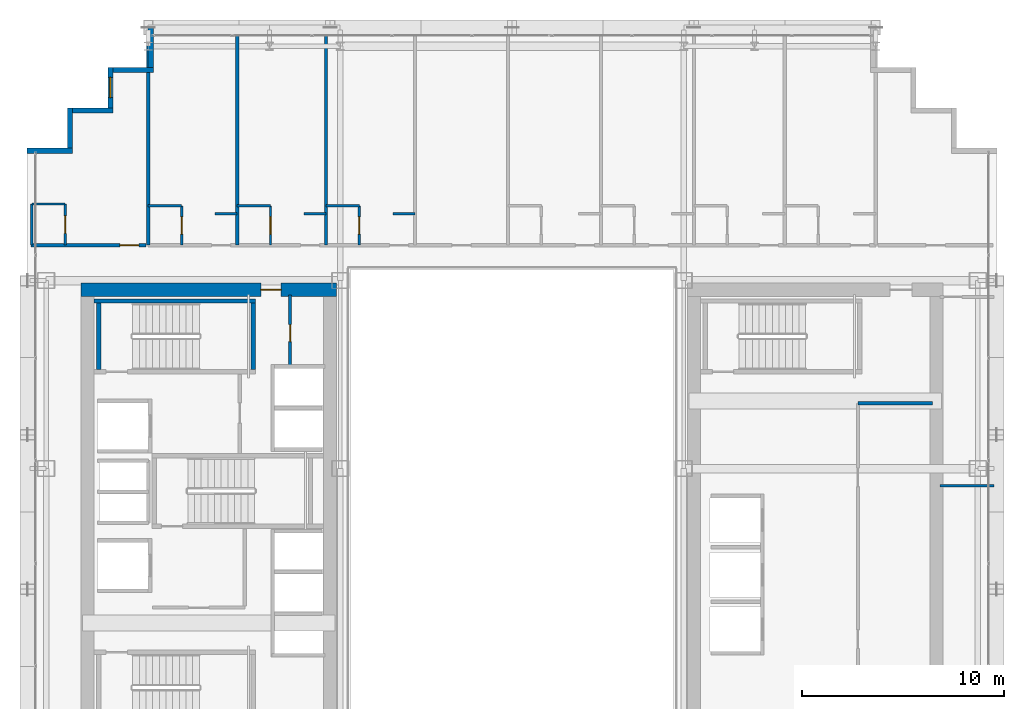
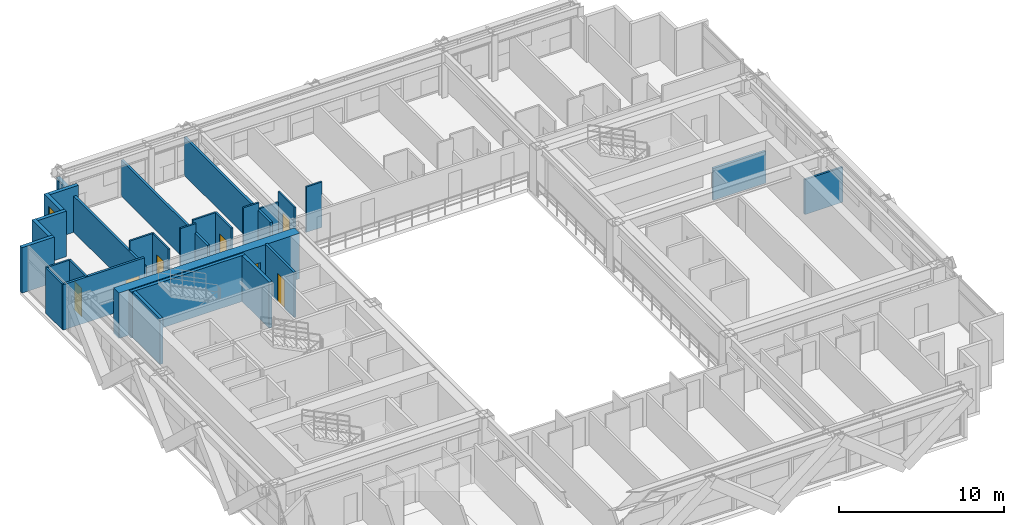
# One storey, part 30 of 36: 29 walls, 7 doors, 1 window, 8 openings.
"""IFC4 building model written with IfcOpenShell, lengths in metres."""

from ifc_helpers import new_model, si_unit, direction, frame, frame_2d, origin, place, context, subcontext, project, spatial, rectangle, extrude, source, transform, mapped, material, layer, layer_set, type_object, element, fill, save


model = new_model("IFC4")

# Units and contexts
model_context = context("Model", 3, precision=1e-05, world=origin(), true_north=direction((0.0, 1.0)))
body_context = subcontext(model_context, "Body", "Model", "MODEL_VIEW")
ifc_project = project(units=[si_unit("LENGTHUNIT", "METRE"), si_unit("AREAUNIT", "SQUARE_METRE"), si_unit("VOLUMEUNIT", "CUBIC_METRE"), si_unit("PLANEANGLEUNIT", "RADIAN"), si_unit("MASSUNIT", "GRAM", prefix="KILO")], contexts=[model_context])

# Site, building, storey
site_placement = place(None, origin())
site = spatial("IfcSite", under=ifc_project, at=site_placement, CompositionType="ELEMENT")
building_placement = place(site_placement, origin())
building = spatial("IfcBuilding", under=site, at=building_placement, Name="Ocotamira Hotel", CompositionType="ELEMENT")
storey_placement = place(building_placement, frame((0.0, 0.0, 129.60009765625)))
storey = spatial("IfcBuildingStorey", under=building, at=storey_placement, Name="L32", CompositionType="ELEMENT", Elevation=129.60009765625)

# Wall, opening, door
ifc_material_1 = material(Name="Concrete C60/75", Category="concrete")
ifc_layer_1 = layer(ifc_material_1, 0.64990234375)
ifc_layer_set_1 = layer_set([ifc_layer_1], Name="Concrete C60/75")
wall_type_1 = type_object("IfcWallType", Name="WL-CORE-650", PredefinedType="SHEAR", material=ifc_layer_set_1)
wall_1_placement = place(storey_placement, frame((10.675048828125, 37.0, 0.0), z_axis=(0.0, 0.0, 1.0), x_axis=(1.0, 0.0, 0.0)))
wall_1 = element("IfcWall", 1, at=wall_1_placement, inside=storey, type_object=wall_type_1, Name="L32 Shear Core Wall WCORE-N", PredefinedType="SHEAR", context=body_context, shape_type="SweptSolid", body=[
    extrude(rectangle(XDim=12.64990234375, YDim=0.64990234375, at=frame_2d((6.324951171875, 0.0))), origin(), (0.0, 0.0, 1.0), 3.35986328125),
])
opening_1_placement = place(wall_1_placement, frame((8.905029296875, 0.0, 0.0)))
opening_1 = element("IfcOpeningElement", 2, at=opening_1_placement, cuts=wall_1, Name="Opening D-FR2", PredefinedType="OPENING", context=body_context, shape_type="SweptSolid", body=[
    extrude(rectangle(XDim=1.0, YDim=2.14990234375, at=frame_2d((0.5, 1.074951171875))), frame((0.0, 0.3349609375, 0.0), z_axis=(0.0, -1.0, 0.0), x_axis=(1.0, 0.0, 0.0)), (0.0, 0.0, 1.0), 0.669921875),
])
ifc_material_2 = material(Name="Fire-rated acoustic timber-veneer door", Category="wood")
door_type_1 = type_object("IfcDoorType", Name="DR-FIRE-1000", OperationType="NOTDEFINED", PredefinedType="DOOR", material=ifc_material_2)
shared_shape_1 = source(origin(), body_context, "Body", "SweptSolid", [
    extrude(rectangle(XDim=1.0, YDim=2.14990234375, at=frame_2d((0.5, 1.074951171875))), frame((0.0, 0.02490234375, 0.0), z_axis=(0.0, -1.0, 0.0), x_axis=(1.0, 0.0, 0.0)), (0.0, 0.0, 1.0), 0.050048828125),
])
door_1_placement = place(opening_1_placement, origin())
door_1 = element("IfcDoor", 3, at=door_1_placement, inside=storey, type_object=door_type_1, Name="L32 Door ID-L32-WLOB-N-D [ID-L32-WLOB-N-D]", OperationType="SINGLE_SWING_RIGHT", OverallHeight=2.14990234375, OverallWidth=1.0, PredefinedType="DOOR", context=body_context, shape_type="MappedRepresentation", body=[
    mapped(shared_shape_1, transform((0.0, 0.0, 0.0), scale=1.0)),
])
fill(opening_1, door_1)

# Walls
ifc_material_3 = material(Name="Precast concrete C45/55", Category="concrete")
ifc_layer_2 = layer(ifc_material_3, 0.25)
ifc_layer_set_2 = layer_set([ifc_layer_2], Name="Precast concrete C45/55")
wall_type_2 = type_object("IfcWallType", Name="WL-EXT-SER-250", PredefinedType="SOLIDWALL", material=ifc_layer_set_2)
wall_2_placement = place(storey_placement, frame((14.125, 50.0, 0.0), z_axis=(0.0, 0.0, 1.0), x_axis=(0.0, -1.0, 0.0)))
element("IfcWall", 4, at=wall_2_placement, inside=storey, type_object=wall_type_2, Name="L32 Serrated Corner Wall 13", PredefinedType="SOLIDWALL", context=body_context, shape_type="SweptSolid", body=[
    extrude(rectangle(XDim=2.0, YDim=0.25, at=frame_2d((1.0, 0.0))), origin(), (0.0, 0.0, 1.0), 2.6669921875),
])
wall_3_placement = place(storey_placement, frame((14.25, 47.875, 0.0), z_axis=(0.0, 0.0, 1.0), x_axis=(-1.0, 0.0, 0.0)))
element("IfcWall", 5, at=wall_3_placement, inside=storey, type_object=wall_type_2, Name="L32 Serrated Corner Wall 14", PredefinedType="SOLIDWALL", context=body_context, shape_type="SweptSolid", body=[
    extrude(rectangle(XDim=2.0, YDim=0.25, at=frame_2d((1.0, 0.0))), origin(), (0.0, 0.0, 1.0), 3.35986328125),
])

# Wall, opening, window
wall_4_placement = place(storey_placement, frame((12.125, 48.0, 0.0), z_axis=(0.0, 0.0, 1.0), x_axis=(0.0, -1.0, 0.0)))
wall_4 = element("IfcWall", 6, at=wall_4_placement, inside=storey, type_object=wall_type_2, Name="L32 Serrated Corner Wall 15", PredefinedType="SOLIDWALL", context=body_context, shape_type="SweptSolid", body=[
    extrude(rectangle(XDim=2.0, YDim=0.25, at=frame_2d((1.0, 0.0))), origin(), (0.0, 0.0, 1.0), 3.35986328125),
])
opening_2_placement = place(wall_4_placement, frame((0.5, 0.0, 0.85009765625)))
opening_2 = element("IfcOpeningElement", 7, at=opening_2_placement, cuts=wall_4, Name="Opening WN-2", PredefinedType="OPENING", context=body_context, shape_type="SweptSolid", body=[
    extrude(rectangle(XDim=1.0, YDim=1.89990234375, at=frame_2d((0.5, 0.949951171875))), frame((0.0, 0.135009765625, 0.0), z_axis=(0.0, -1.0, 0.0), x_axis=(1.0, 0.0, 0.0)), (0.0, 0.0, 1.0), 0.27001953125),
])
ifc_material_4 = material(Name="Double-silver low-E solar glass", Category="glass")
window_type = type_object("IfcWindowType", Name="WIN-SER-1100", PartitioningType="SINGLE_PANEL", PredefinedType="WINDOW", material=ifc_material_4)
shared_shape_2 = source(origin(), body_context, "Body", "SweptSolid", [
    extrude(rectangle(XDim=1.0, YDim=1.89990234375, at=frame_2d((0.5, 0.949951171875))), frame((0.0, 0.030029296875, 0.0), z_axis=(0.0, -1.0, 0.0), x_axis=(1.0, 0.0, 0.0)), (0.0, 0.0, 1.0), 0.06005859375),
])
window_placement = place(opening_2_placement, origin())
window = element("IfcWindow", 8, at=window_placement, inside=storey, type_object=window_type, Name="L32 Serrated Corner Window 15", OverallHeight=1.89990234375, OverallWidth=1.0, PartitioningType="SINGLE_PANEL", PredefinedType="WINDOW", context=body_context, shape_type="MappedRepresentation", body=[
    mapped(shared_shape_2, transform((0.0, 0.0, 0.0), scale=1.0)),
])
fill(opening_2, window)

# Walls
for number, where, z_axis, x_axis, name in (
    (9, (12.25, 45.875, 0.0), (0.0, 0.0, 1.0), (-1.0, 0.0, 0.0), "L32 Serrated Corner Wall 16"),
    (10, (10.125, 46.0, 0.0), (0.0, 0.0, 1.0), (0.0, -1.0, 0.0), "L32 Serrated Corner Wall 17"),
):
    element("IfcWall", number, at=place(storey_placement, frame(where, z_axis=z_axis, x_axis=x_axis)), inside=storey, type_object=wall_type_2, Name=name, PredefinedType="SOLIDWALL", context=body_context, shape_type="SweptSolid", body=[
        extrude(rectangle(XDim=2.0, YDim=0.25, at=frame_2d((1.0, 0.0))), origin(), (0.0, 0.0, 1.0), 3.35986328125),
    ])
wall_5_placement = place(storey_placement, frame((10.25, 43.875, 0.0), z_axis=(0.0, 0.0, 1.0), x_axis=(-1.0, 0.0, 0.0)))
element("IfcWall", 11, at=wall_5_placement, inside=storey, type_object=wall_type_2, Name="L32 Serrated Corner Wall 18", PredefinedType="SOLIDWALL", context=body_context, shape_type="SweptSolid", body=[
    extrude(rectangle(XDim=2.25, YDim=0.25, at=frame_2d((1.125, 0.0))), origin(), (0.0, 0.0, 1.0), 3.35986328125),
])
ifc_material_5 = material(Name="Acoustic double-layer fire gypsum board partition", Category="gypsum")
ifc_layer_3 = layer(ifc_material_5, 0.159912109375)
ifc_layer_set_3 = layer_set([ifc_layer_3], Name="Acoustic double-layer fire gypsum board partition")
wall_type_3 = type_object("IfcWallType", Name="WL-FIRE-160", PredefinedType="PARTITIONING", material=ifc_layer_set_3)
wall_6_placement = place(storey_placement, frame((49.1201171875, 31.3798828125, 0.0), z_axis=(0.0, 0.0, 1.0), x_axis=(1.0, 0.0, 0.0)))
element("IfcWall", 12, at=wall_6_placement, inside=storey, type_object=wall_type_3, Name="L32 Interior Wall PW-L32-EC-FLOW-N", PredefinedType="PARTITIONING", context=body_context, shape_type="SweptSolid", body=[
    extrude(rectangle(XDim=3.679931640625, YDim=0.159912109375, at=frame_2d((1.83984375, 0.0))), origin(), (0.0, 0.0, 1.0), 2.35986328125),
])

# Wall, opening, door
wall_7_placement = place(storey_placement, frame((8.199951171875, 39.199951171875, 0.0), z_axis=(0.0, 0.0, 1.0), x_axis=(1.0, 0.0, 0.0)))
wall_7 = element("IfcWall", 13, at=wall_7_placement, inside=storey, type_object=wall_type_3, Name="L32 Interior Wall PW-L32-Z2D-CNW-CW", PredefinedType="PARTITIONING", context=body_context, shape_type="SweptSolid", body=[
    extrude(rectangle(XDim=5.679931640625, YDim=0.159912109375, at=frame_2d((2.83984375, 0.0))), origin(), (0.0, 0.0, 1.0), 3.35986328125),
])
opening_3_placement = place(wall_7_placement, frame((4.39990234375, 0.0, 0.0)))
opening_3 = element("IfcOpeningElement", 14, at=opening_3_placement, cuts=wall_7, Name="Opening D-GR1", PredefinedType="OPENING", context=body_context, shape_type="SweptSolid", body=[
    extrude(rectangle(XDim=0.93994140625, YDim=2.14990234375, at=frame_2d((0.469970703125, 1.074951171875))), frame((0.0, 0.08984375, 0.0), z_axis=(0.0, -1.0, 0.0), x_axis=(1.0, 0.0, 0.0)), (0.0, 0.0, 1.0), 0.179931640625),
])
ifc_material_6 = material(Name="Solid-core walnut suite entrance fire door", Category="wood")
door_type_2 = type_object("IfcDoorType", Name="DR-GUEST-940", OperationType="NOTDEFINED", PredefinedType="DOOR", material=ifc_material_6)
shared_shape_3 = source(origin(), body_context, "Body", "SweptSolid", [
    extrude(rectangle(XDim=0.93994140625, YDim=2.14990234375, at=frame_2d((0.469970703125, 1.074951171875))), frame((0.0, 0.02490234375, 0.0), z_axis=(0.0, -1.0, 0.0), x_axis=(1.0, 0.0, 0.0)), (0.0, 0.0, 1.0), 0.050048828125),
])
door_2_placement = place(opening_3_placement, origin())
door_2 = element("IfcDoor", 15, at=door_2_placement, inside=storey, type_object=door_type_2, Name="L32 Door ID-L32-Z2D-CNW-CD [ID-L32-Z2D-CNW-CD]", OperationType="SINGLE_SWING_RIGHT", OverallHeight=2.14990234375, OverallWidth=0.93994140625, PredefinedType="DOOR", context=body_context, shape_type="MappedRepresentation", body=[
    mapped(shared_shape_3, transform((0.0, 0.0, 0.0), scale=1.0)),
])
fill(opening_3, door_2)

ifc_material_7 = material(Name="Moisture-resistant en-suite tile and gypsum partition", Category="gypsum")
ifc_layer_4 = layer(ifc_material_7, 0.1201171875)
ifc_layer_set_4 = layer_set([ifc_layer_4], Name="Moisture-resistant en-suite tile and gypsum partition")
wall_type_4 = type_object("IfcWallType", Name="WL-PART-120", PredefinedType="PARTITIONING", material=ifc_layer_set_4)
wall_8_placement = place(storey_placement, frame((9.889892578125, 39.199951171875, 0.0), z_axis=(0.0, 0.0, 1.0), x_axis=(0.0, 1.0, 0.0)))
wall_8 = element("IfcWall", 16, at=wall_8_placement, inside=storey, type_object=wall_type_4, Name="L32 Interior Wall PW-L32-Z2D-CNW-BE", PredefinedType="PARTITIONING", context=body_context, shape_type="SweptSolid", body=[
    extrude(rectangle(XDim=2.0400390625, YDim=0.1201171875, at=frame_2d((1.02001953125, 0.0))), origin(), (0.0, 0.0, 1.0), 3.35986328125),
])
opening_4_placement = place(wall_8_placement, frame((0.590087890625, 0.0, 0.0)))
opening_4 = element("IfcOpeningElement", 17, at=opening_4_placement, cuts=wall_8, Name="Opening D-BA1", PredefinedType="OPENING", context=body_context, shape_type="SweptSolid", body=[
    extrude(rectangle(XDim=0.860107421875, YDim=2.10009765625, at=frame_2d((0.43017578125, 1.050048828125))), frame((0.0, 0.070068359375, 0.0), z_axis=(0.0, -1.0, 0.0), x_axis=(1.0, 0.0, 0.0)), (0.0, 0.0, 1.0), 0.14013671875),
])
ifc_material_8 = material(Name="Moisture-sealed en-suite timber door", Category="wood")
door_type_3 = type_object("IfcDoorType", Name="DR-BATH-860", OperationType="NOTDEFINED", PredefinedType="DOOR", material=ifc_material_8)
shared_shape_4 = source(origin(), body_context, "Body", "SweptSolid", [
    extrude(rectangle(XDim=0.860107421875, YDim=2.10009765625, at=frame_2d((0.43017578125, 1.050048828125))), frame((0.0, 0.02490234375, 0.0), z_axis=(0.0, -1.0, 0.0), x_axis=(1.0, 0.0, 0.0)), (0.0, 0.0, 1.0), 0.050048828125),
])
door_3_placement = place(opening_4_placement, origin())
door_3 = element("IfcDoor", 18, at=door_3_placement, inside=storey, type_object=door_type_3, Name="L32 Door ID-L32-Z2D-CNW-BD [ID-L32-Z2D-CNW-BD]", OperationType="SINGLE_SWING_LEFT", OverallHeight=2.10009765625, OverallWidth=0.860107421875, PredefinedType="DOOR", context=body_context, shape_type="MappedRepresentation", body=[
    mapped(shared_shape_4, transform((0.0, 0.0, 0.0), scale=1.0)),
])
fill(opening_4, door_3)

# Walls
wall_9_placement = place(storey_placement, frame((8.239990234375, 39.199951171875, 0.0), z_axis=(0.0, 0.0, 1.0), x_axis=(0.0, 1.0, 0.0)))
element("IfcWall", 19, at=wall_9_placement, inside=storey, type_object=wall_type_4, Name="L32 Interior Wall PW-L32-Z2D-CNW-BW", PredefinedType="PARTITIONING", context=body_context, shape_type="SweptSolid", body=[
    extrude(rectangle(XDim=2.0400390625, YDim=0.1201171875, at=frame_2d((1.02001953125, 0.0))), origin(), (0.0, 0.0, 1.0), 3.35986328125),
])
wall_10_placement = place(storey_placement, frame((8.239990234375, 41.239990234375, 0.0), z_axis=(0.0, 0.0, 1.0), x_axis=(1.0, 0.0, 0.0)))
element("IfcWall", 20, at=wall_10_placement, inside=storey, type_object=wall_type_4, Name="L32 Interior Wall PW-L32-Z2D-CNW-BH", PredefinedType="PARTITIONING", context=body_context, shape_type="SweptSolid", body=[
    extrude(rectangle(XDim=1.64990234375, YDim=0.1201171875, at=frame_2d((0.824951171875, 0.0))), origin(), (0.0, 0.0, 1.0), 3.35986328125),
])

# Wall, opening, door
wall_11_placement = place(storey_placement, frame((15.64990234375, 39.199951171875, 0.0), z_axis=(0.0, 0.0, 1.0), x_axis=(0.0, 1.0, 0.0)))
wall_11 = element("IfcWall", 21, at=wall_11_placement, inside=storey, type_object=wall_type_4, Name="L32 Interior Wall PW-L32-Z2DN-BAE1", PredefinedType="PARTITIONING", context=body_context, shape_type="SweptSolid", body=[
    extrude(rectangle(XDim=1.949951171875, YDim=0.1201171875, at=frame_2d((0.97509765625, 0.0))), origin(), (0.0, 0.0, 1.0), 3.35986328125),
])
opening_5_placement = place(wall_11_placement, frame((0.544921875, 0.0, 0.0)))
opening_5 = element("IfcOpeningElement", 22, at=opening_5_placement, cuts=wall_11, Name="Opening D-BA1", PredefinedType="OPENING", context=body_context, shape_type="SweptSolid", body=[
    extrude(rectangle(XDim=0.860107421875, YDim=2.10009765625, at=frame_2d((0.43017578125, 1.050048828125))), frame((0.0, 0.070068359375, 0.0), z_axis=(0.0, -1.0, 0.0), x_axis=(1.0, 0.0, 0.0)), (0.0, 0.0, 1.0), 0.14013671875),
])
door_4_placement = place(opening_5_placement, origin())
door_4 = element("IfcDoor", 23, at=door_4_placement, inside=storey, type_object=door_type_3, Name="L32 Door ID-L32-Z2DN-BAD1 [ID-L32-Z2DN-BAD1]", OperationType="SINGLE_SWING_RIGHT", OverallHeight=2.10009765625, OverallWidth=0.860107421875, PredefinedType="DOOR", context=body_context, shape_type="MappedRepresentation", body=[
    mapped(shared_shape_4, transform((0.0, 0.0, 0.0), scale=1.0)),
])
fill(opening_5, door_4)

# Walls
wall_12_placement = place(storey_placement, frame((14.0, 41.14990234375, 0.0), z_axis=(0.0, 0.0, 1.0), x_axis=(1.0, 0.0, 0.0)))
element("IfcWall", 24, at=wall_12_placement, inside=storey, type_object=wall_type_4, Name="L32 Interior Wall PW-L32-Z2DN-BAN1", PredefinedType="PARTITIONING", context=body_context, shape_type="SweptSolid", body=[
    extrude(rectangle(XDim=1.64990234375, YDim=0.1201171875, at=frame_2d((0.824951171875, 0.0))), origin(), (0.0, 0.0, 1.0), 3.35986328125),
])
wall_13_placement = place(storey_placement, frame((17.300048828125, 40.75, 0.0), z_axis=(0.0, 0.0, 1.0), x_axis=(1.0, 0.0, 0.0)))
element("IfcWall", 25, at=wall_13_placement, inside=storey, type_object=wall_type_4, Name="L32 Interior Wall PW-L32-Z2DN-DRN1", PredefinedType="PARTITIONING", context=body_context, shape_type="SweptSolid", body=[
    extrude(rectangle(XDim=1.099853515625, YDim=0.1201171875, at=frame_2d((0.5498046875, 0.0))), origin(), (0.0, 0.0, 1.0), 3.35986328125),
])

# Wall, opening, door
wall_14_placement = place(storey_placement, frame((20.050048828125, 39.199951171875, 0.0), z_axis=(0.0, 0.0, 1.0), x_axis=(0.0, 1.0, 0.0)))
wall_14 = element("IfcWall", 26, at=wall_14_placement, inside=storey, type_object=wall_type_4, Name="L32 Interior Wall PW-L32-Z2DN-BAE2", PredefinedType="PARTITIONING", context=body_context, shape_type="SweptSolid", body=[
    extrude(rectangle(XDim=1.949951171875, YDim=0.1201171875, at=frame_2d((0.97509765625, 0.0))), origin(), (0.0, 0.0, 1.0), 3.35986328125),
])
opening_6_placement = place(wall_14_placement, frame((0.544921875, 0.0, 0.0)))
opening_6 = element("IfcOpeningElement", 27, at=opening_6_placement, cuts=wall_14, Name="Opening D-BA1", PredefinedType="OPENING", context=body_context, shape_type="SweptSolid", body=[
    extrude(rectangle(XDim=0.860107421875, YDim=2.10009765625, at=frame_2d((0.43017578125, 1.050048828125))), frame((0.0, 0.070068359375, 0.0), z_axis=(0.0, -1.0, 0.0), x_axis=(1.0, 0.0, 0.0)), (0.0, 0.0, 1.0), 0.14013671875),
])
door_5_placement = place(opening_6_placement, origin())
door_5 = element("IfcDoor", 28, at=door_5_placement, inside=storey, type_object=door_type_3, Name="L32 Door ID-L32-Z2DN-BAD2 [ID-L32-Z2DN-BAD2]", OperationType="SINGLE_SWING_LEFT", OverallHeight=2.10009765625, OverallWidth=0.860107421875, PredefinedType="DOOR", context=body_context, shape_type="MappedRepresentation", body=[
    mapped(shared_shape_4, transform((0.0, 0.0, 0.0), scale=1.0)),
])
fill(opening_6, door_5)

# Walls
wall_15_placement = place(storey_placement, frame((18.39990234375, 41.14990234375, 0.0), z_axis=(0.0, 0.0, 1.0), x_axis=(1.0, 0.0, 0.0)))
element("IfcWall", 29, at=wall_15_placement, inside=storey, type_object=wall_type_4, Name="L32 Interior Wall PW-L32-Z2DN-BAN2", PredefinedType="PARTITIONING", context=body_context, shape_type="SweptSolid", body=[
    extrude(rectangle(XDim=1.650146484375, YDim=0.1201171875, at=frame_2d((0.8251953125, 0.0))), origin(), (0.0, 0.0, 1.0), 3.35986328125),
])
wall_16_placement = place(storey_placement, frame((21.699951171875, 40.75, 0.0), z_axis=(0.0, 0.0, 1.0), x_axis=(1.0, 0.0, 0.0)))
element("IfcWall", 30, at=wall_16_placement, inside=storey, type_object=wall_type_4, Name="L32 Interior Wall PW-L32-Z2DN-DRN2", PredefinedType="PARTITIONING", context=body_context, shape_type="SweptSolid", body=[
    extrude(rectangle(XDim=1.10009765625, YDim=0.1201171875, at=frame_2d((0.550048828125, 0.0))), origin(), (0.0, 0.0, 1.0), 3.35986328125),
])

# Wall, opening, door
wall_17_placement = place(storey_placement, frame((24.449951171875, 39.199951171875, 0.0), z_axis=(0.0, 0.0, 1.0), x_axis=(0.0, 1.0, 0.0)))
wall_17 = element("IfcWall", 31, at=wall_17_placement, inside=storey, type_object=wall_type_4, Name="L32 Interior Wall PW-L32-Z2DN-BAE3", PredefinedType="PARTITIONING", context=body_context, shape_type="SweptSolid", body=[
    extrude(rectangle(XDim=1.949951171875, YDim=0.1201171875, at=frame_2d((0.97509765625, 0.0))), origin(), (0.0, 0.0, 1.0), 3.35986328125),
])
opening_7_placement = place(wall_17_placement, frame((0.544921875, 0.0, 0.0)))
opening_7 = element("IfcOpeningElement", 32, at=opening_7_placement, cuts=wall_17, Name="Opening D-BA1", PredefinedType="OPENING", context=body_context, shape_type="SweptSolid", body=[
    extrude(rectangle(XDim=0.860107421875, YDim=2.10009765625, at=frame_2d((0.43017578125, 1.050048828125))), frame((0.0, 0.070068359375, 0.0), z_axis=(0.0, -1.0, 0.0), x_axis=(1.0, 0.0, 0.0)), (0.0, 0.0, 1.0), 0.14013671875),
])
door_6_placement = place(opening_7_placement, origin())
door_6 = element("IfcDoor", 33, at=door_6_placement, inside=storey, type_object=door_type_3, Name="L32 Door ID-L32-Z2DN-BAD3 [ID-L32-Z2DN-BAD3]", OperationType="SINGLE_SWING_RIGHT", OverallHeight=2.10009765625, OverallWidth=0.860107421875, PredefinedType="DOOR", context=body_context, shape_type="MappedRepresentation", body=[
    mapped(shared_shape_4, transform((0.0, 0.0, 0.0), scale=1.0)),
])
fill(opening_7, door_6)

# Walls
wall_18_placement = place(storey_placement, frame((22.800048828125, 41.14990234375, 0.0), z_axis=(0.0, 0.0, 1.0), x_axis=(1.0, 0.0, 0.0)))
element("IfcWall", 34, at=wall_18_placement, inside=storey, type_object=wall_type_4, Name="L32 Interior Wall PW-L32-Z2DN-BAN3", PredefinedType="PARTITIONING", context=body_context, shape_type="SweptSolid", body=[
    extrude(rectangle(XDim=1.64990234375, YDim=0.1201171875, at=frame_2d((0.824951171875, 0.0))), origin(), (0.0, 0.0, 1.0), 2.580810546875),
])
wall_19_placement = place(storey_placement, frame((26.10009765625, 40.75, 0.0), z_axis=(0.0, 0.0, 1.0), x_axis=(1.0, 0.0, 0.0)))
element("IfcWall", 35, at=wall_19_placement, inside=storey, type_object=wall_type_4, Name="L32 Interior Wall PW-L32-Z2DN-DRN3", PredefinedType="PARTITIONING", context=body_context, shape_type="SweptSolid", body=[
    extrude(rectangle(XDim=1.099853515625, YDim=0.1201171875, at=frame_2d((0.5498046875, 0.0))), origin(), (0.0, 0.0, 1.0), 3.35986328125),
])

# Wall, opening, door
ifc_material_9 = material(Name="Acoustic hospitality gypsum board partition", Category="gypsum")
ifc_layer_5 = layer(ifc_material_9, 0.14208984375)
ifc_layer_set_5 = layer_set([ifc_layer_5], Name="Acoustic hospitality gypsum board partition")
wall_type_5 = type_object("IfcWallType", Name="WL-PART-142", PredefinedType="PARTITIONING", material=ifc_layer_set_5)
wall_20_placement = place(storey_placement, frame((21.02001953125, 33.280029296875, 0.0), z_axis=(0.0, 0.0, 1.0), x_axis=(0.0, 1.0, 0.0)))
wall_20 = element("IfcWall", 36, at=wall_20_placement, inside=storey, type_object=wall_type_5, Name="L32 Interior Wall PW-L32-WC-NE-W", PredefinedType="PARTITIONING", context=body_context, shape_type="SweptSolid", body=[
    extrude(rectangle(XDim=3.469970703125, YDim=0.14208984375, at=frame_2d((1.73486328125, 0.0))), origin(), (0.0, 0.0, 1.0), 3.35986328125),
])
opening_8_placement = place(wall_20_placement, frame((1.14990234375, 0.0, 0.0)))
opening_8 = element("IfcOpeningElement", 37, at=opening_8_placement, cuts=wall_20, Name="Opening D-SV1", PredefinedType="OPENING", context=body_context, shape_type="SweptSolid", body=[
    extrude(rectangle(XDim=0.840087890625, YDim=2.10009765625, at=frame_2d((0.419921875, 1.050048828125))), frame((0.0, 0.0810546875, 0.0), z_axis=(0.0, -1.0, 0.0), x_axis=(1.0, 0.0, 0.0)), (0.0, 0.0, 1.0), 0.162109375),
])
ifc_material_10 = material(Name="Fire-rated painted steel service door", Category="steel")
door_type_4 = type_object("IfcDoorType", Name="DR-SERV-840", OperationType="NOTDEFINED", PredefinedType="DOOR", material=ifc_material_10)
shared_shape_5 = source(origin(), body_context, "Body", "SweptSolid", [
    extrude(rectangle(XDim=0.840087890625, YDim=2.10009765625, at=frame_2d((0.419921875, 1.050048828125))), frame((0.0, 0.02490234375, 0.0), z_axis=(0.0, -1.0, 0.0), x_axis=(1.0, 0.0, 0.0)), (0.0, 0.0, 1.0), 0.050048828125),
])
door_7_placement = place(opening_8_placement, origin())
door_7 = element("IfcDoor", 38, at=door_7_placement, inside=storey, type_object=door_type_4, Name="L32 Door ID-L32-WC-NE-D [ID-L32-WC-NE-D]", OperationType="SINGLE_SWING_LEFT", OverallHeight=2.10009765625, OverallWidth=0.840087890625, PredefinedType="DOOR", context=body_context, shape_type="MappedRepresentation", body=[
    mapped(shared_shape_5, transform((0.0, 0.0, 0.0), scale=1.0)),
])
fill(opening_8, door_7)

# Walls
wall_21_placement = place(storey_placement, frame((53.179931640625, 27.300048828125, 0.0), z_axis=(0.0, 0.0, 1.0), x_axis=(1.0, 0.0, 0.0)))
element("IfcWall", 39, at=wall_21_placement, inside=storey, type_object=wall_type_5, Name="L32 Interior Wall PW-L32-Z2D-EF-DV1", PredefinedType="PARTITIONING", context=body_context, shape_type="SweptSolid", body=[
    extrude(rectangle(XDim=2.66015625, YDim=0.14208984375, at=frame_2d((1.330078125, 0.0))), origin(), (0.0, 0.0, 1.0), 2.580810546875),
])
ifc_material_11 = material(Name="Acoustic double-stud hospitality gypsum partition", Category="gypsum")
ifc_layer_6 = layer(ifc_material_11, 0.159912109375)
ifc_layer_set_6 = layer_set([ifc_layer_6], Name="Acoustic double-stud hospitality gypsum partition")
wall_type_6 = type_object("IfcWallType", Name="WL-PART-160", PredefinedType="PARTITIONING", material=ifc_layer_set_6)
for number, where, z_axis, x_axis, name in (
    (40, (14.0, 39.199951171875, 0.0), (0.0, 0.0, 1.0), (0.0, 1.0, 0.0), "L32 Interior Wall PW-L32-Z2DN-PW0"),
    (41, (18.39990234375, 39.199951171875, 0.0), (0.0, 0.0, 1.0), (0.0, 1.0, 0.0), "L32 Interior Wall PW-L32-Z2DN-PW1"),
):
    element("IfcWall", number, at=place(storey_placement, frame(where, z_axis=z_axis, x_axis=x_axis)), inside=storey, type_object=wall_type_6, Name=name, PredefinedType="PARTITIONING", context=body_context, shape_type="SweptSolid", body=[
        extrude(rectangle(XDim=10.43994140625, YDim=0.159912109375, at=frame_2d((5.219970703125, 0.0))), origin(), (0.0, 0.0, 1.0), 2.6669921875),
    ])
wall_22_placement = place(storey_placement, frame((22.800048828125, 39.199951171875, 0.0), z_axis=(0.0, 0.0, 1.0), x_axis=(0.0, 1.0, 0.0)))
element("IfcWall", 42, at=wall_22_placement, inside=storey, type_object=wall_type_6, Name="L32 Interior Wall PW-L32-Z2DN-PW2", PredefinedType="PARTITIONING", context=body_context, shape_type="SweptSolid", body=[
    extrude(rectangle(XDim=10.43994140625, YDim=0.159912109375, at=frame_2d((5.219970703125, 0.0))), origin(), (0.0, 0.0, 1.0), 2.822998046875),
])
ifc_material_12 = material(Name="Concrete C50/60", Category="concrete")
ifc_layer_7 = layer(ifc_material_12, 0.219970703125)
ifc_layer_set_7 = layer_set([ifc_layer_7], Name="Concrete C50/60")
wall_type_7 = type_object("IfcWallType", Name="WL-STAIR-220", PredefinedType="SHEAR", material=ifc_layer_set_7)
wall_23_placement = place(storey_placement, frame((11.324951171875, 36.43994140625, 0.0), z_axis=(0.0, 0.0, 1.0), x_axis=(1.0, 0.0, 0.0)))
element("IfcWall", 43, at=wall_23_placement, inside=storey, type_object=wall_type_7, Name="L32 Stair Shaft Structural Wall ST-2-N", PredefinedType="SHEAR", context=body_context, shape_type="SweptSolid", body=[
    extrude(rectangle(XDim=7.985107421875, YDim=0.219970703125, at=frame_2d((3.99267578125, 0.0))), origin(), (0.0, 0.0, 1.0), 3.39990234375),
])
for number, where, z_axis, x_axis, name in (
    (44, (11.56005859375, 33.050048828125, 0.0), (0.0, 0.0, 1.0), (0.0, 1.0, 0.0), "L32 Stair Shaft Structural Wall ST-2-W"),
    (45, (19.199951171875, 33.050048828125, 0.0), (0.0, 0.0, 1.0), (0.0, 1.0, 0.0), "L32 Stair Shaft Structural Wall ST-2-E"),
):
    element("IfcWall", number, at=place(storey_placement, frame(where, z_axis=z_axis, x_axis=x_axis)), inside=storey, type_object=wall_type_7, Name=name, PredefinedType="SHEAR", context=body_context, shape_type="SweptSolid", body=[
        extrude(rectangle(XDim=3.280029296875, YDim=0.219970703125, at=frame_2d((1.64013671875, 0.0))), origin(), (0.0, 0.0, 1.0), 3.39990234375),
    ])

save(model, "model.ifc")
